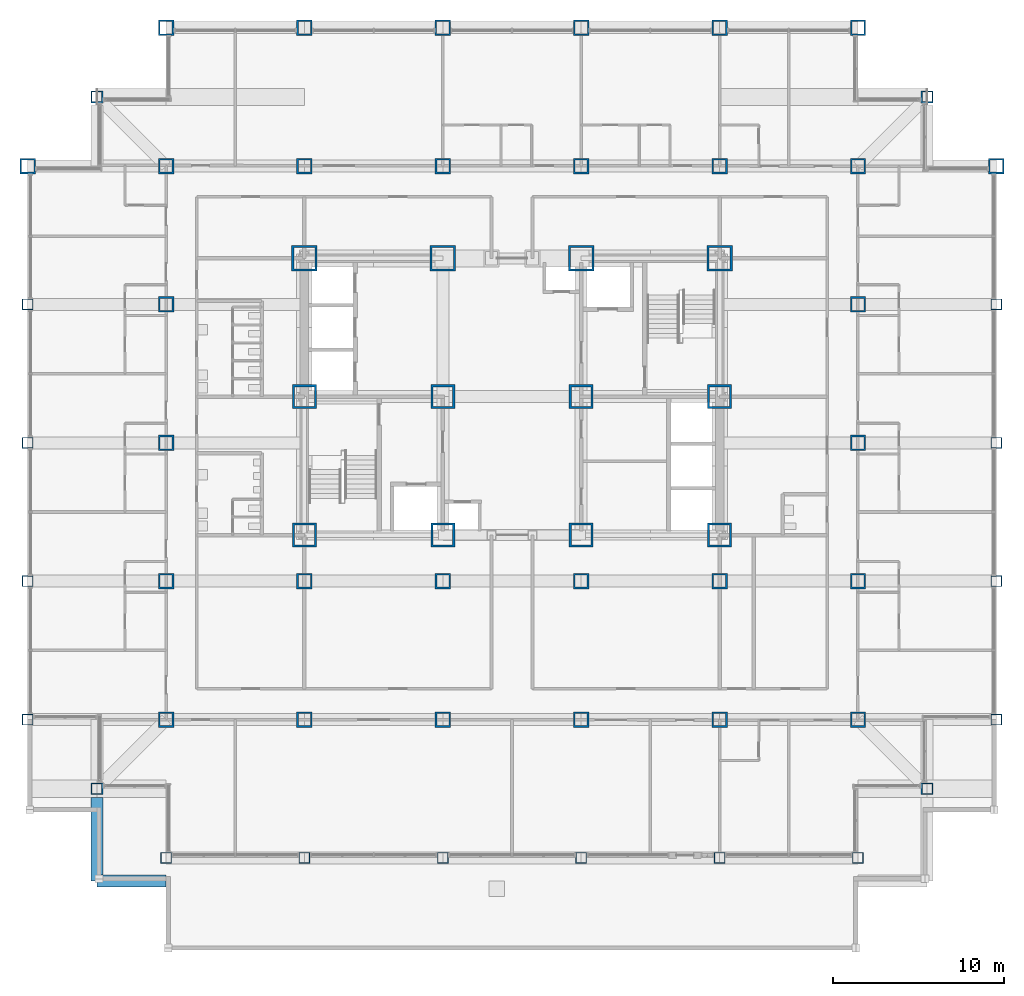
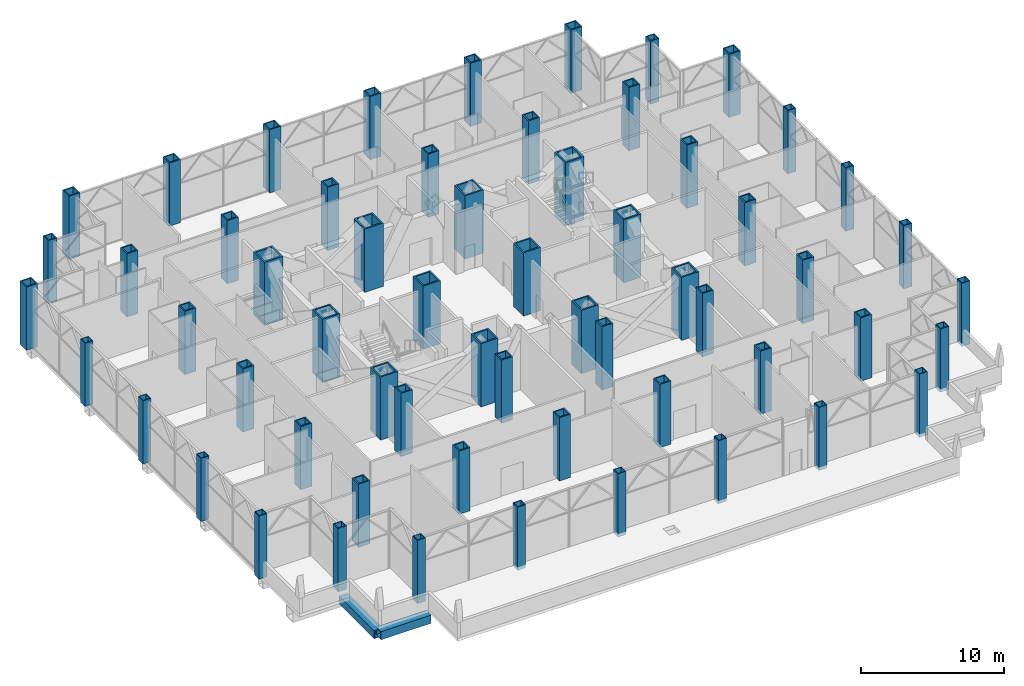
# One storey, part 1 of 26: 60 columns, 2 beams.
"""IFC4 building model written with IfcOpenShell, lengths in metres."""

from ifc_helpers import new_model, si_unit, direction, frame, origin, origin_2d, place, context, subcontext, project, spatial, hollow_rectangle, extrude, material, material_profile, profile_set, type_object, element, save


model = new_model("IFC4")

# Units and contexts
model_context = context("Model", 3, precision=1e-05, world=origin(), true_north=direction((0.0, 1.0)))
body_context = subcontext(model_context, "Body", "Model", "MODEL_VIEW")
ifc_project = project(units=[si_unit("LENGTHUNIT", "METRE"), si_unit("AREAUNIT", "SQUARE_METRE"), si_unit("VOLUMEUNIT", "CUBIC_METRE"), si_unit("PLANEANGLEUNIT", "RADIAN"), si_unit("MASSUNIT", "GRAM", prefix="KILO")], contexts=[model_context])

# Site, building, storey
site_placement = place(None, origin())
site = spatial("IfcSite", under=ifc_project, at=site_placement, CompositionType="ELEMENT")
building_placement = place(site_placement, origin())
building = spatial("IfcBuilding", under=site, at=building_placement, Name="Kopane Lantern Tower", CompositionType="ELEMENT")
storey_placement = place(building_placement, frame((0.0, 0.0, 98.0)))
storey = spatial("IfcBuildingStorey", under=building, at=storey_placement, Name="L24", CompositionType="ELEMENT", Elevation=98.0)

# Columns
ifc_material_1 = material(Name="Steel S355JR", Category="steel")
ifc_material_profile_1 = material_profile(ifc_material_1, hollow_rectangle(XDim=1.39990234375, YDim=1.39990234375, WallThickness=0.1201171875, at=origin_2d()), Name="BOX 1400x1400x120")
ifc_profile_set_1 = profile_set([ifc_material_profile_1], Name="Steel S355JR")
column_type_1 = type_object("IfcColumnType", Name="COLUMN BOX 1400x1400x120", PredefinedType="COLUMN", material=ifc_profile_set_1)
for number, where, z_axis, x_axis, name in (
    (1, (16.199951171875, 24.300048828125, 0.0), (0.0, 0.0, 1.0), (1.0, 0.0, 0.0), "Column 4/E L24"),
    (2, (16.199951171875, 32.39990234375, 0.0), (0.0, 0.0, 1.0), (1.0, 0.0, 0.0), "Column 4/F L24"),
    (3, (24.300048828125, 24.300048828125, 0.0), (0.0, 0.0, 1.0), (1.0, 0.0, 0.0), "Column 5/E L24"),
    (4, (24.300048828125, 32.39990234375, 0.0), (0.0, 0.0, 1.0), (1.0, 0.0, 0.0), "Column 5/F L24"),
    (5, (32.39990234375, 24.300048828125, 0.0), (0.0, 0.0, 1.0), (1.0, 0.0, 0.0), "Column 6/E L24"),
    (6, (32.39990234375, 32.39990234375, 0.0), (0.0, 0.0, 1.0), (1.0, 0.0, 0.0), "Column 6/F L24"),
    (7, (40.5, 24.300048828125, 0.0), (0.0, 0.0, 1.0), (1.0, 0.0, 0.0), "Column 7/E L24"),
    (8, (40.5, 32.39990234375, 0.0), (0.0, 0.0, 1.0), (1.0, 0.0, 0.0), "Column 7/F L24"),
):
    element("IfcColumn", number, at=place(storey_placement, frame(where, z_axis=z_axis, x_axis=x_axis)), inside=storey, type_object=column_type_1, Name=name, PredefinedType="COLUMN", context=body_context, shape_type="SweptSolid", body=[
        extrude(hollow_rectangle(XDim=1.39990234375, YDim=1.39990234375, WallThickness=0.1201171875, at=origin_2d()), origin(), (0.0, 0.0, 1.0), 5.39990234375),
    ])
ifc_material_2 = material(Name="Steel S355JR", Category="steel")
ifc_material_profile_2 = material_profile(ifc_material_2, hollow_rectangle(XDim=1.5, YDim=1.5, WallThickness=0.1298828125, at=origin_2d()), Name="BOX 1500x1500x130")
ifc_profile_set_2 = profile_set([ifc_material_profile_2], Name="Steel S355JR")
column_type_2 = type_object("IfcColumnType", Name="COLUMN BOX 1500x1500x130", PredefinedType="COLUMN", material=ifc_profile_set_2)
for number, where, z_axis, x_axis, name in (
    (9, (16.199951171875, 40.5, 0.0), (0.0, 0.0, 1.0), (1.0, 0.0, 0.0), "Column 4/G L24"),
    (10, (24.300048828125, 40.5, 0.0), (0.0, 0.0, 1.0), (1.0, 0.0, 0.0), "Column 5/G L24"),
    (11, (32.39990234375, 40.5, 0.0), (0.0, 0.0, 1.0), (1.0, 0.0, 0.0), "Column 6/G L24"),
    (12, (40.5, 40.5, 0.0), (0.0, 0.0, 1.0), (1.0, 0.0, 0.0), "Column 7/G L24"),
):
    element("IfcColumn", number, at=place(storey_placement, frame(where, z_axis=z_axis, x_axis=x_axis)), inside=storey, type_object=column_type_2, Name=name, PredefinedType="COLUMN", context=body_context, shape_type="SweptSolid", body=[
        extrude(hollow_rectangle(XDim=1.5, YDim=1.5, WallThickness=0.1298828125, at=origin_2d()), origin(), (0.0, 0.0, 1.0), 5.39990234375),
    ])
ifc_material_3 = material(Name="Steel S355JR", Category="steel")
ifc_material_profile_3 = material_profile(ifc_material_3, hollow_rectangle(XDim=0.64990234375, YDim=0.64990234375, WallThickness=0.050048828125, at=origin_2d()), Name="BOX 650x650x50")
ifc_profile_set_3 = profile_set([ifc_material_profile_3], Name="Steel S355JR")
column_type_3 = type_object("IfcColumnType", Name="COLUMN BOX 650x650x50", PredefinedType="COLUMN", material=ifc_profile_set_3)
for number, where, z_axis, x_axis, name in (
    (13, (0.0, 13.5, 0.0), (0.0, 0.0, 1.0), (1.0, 0.0, 0.0), "Column 2/P2 L24"),
    (14, (0.0, 21.60009765625, 0.0), (0.0, 0.0, 1.0), (1.0, 0.0, 0.0), "Column 2/P3 L24"),
    (15, (0.0, 29.699951171875, 0.0), (0.0, 0.0, 1.0), (1.0, 0.0, 0.0), "Column 2/P4 L24"),
    (16, (0.0, 37.800048828125, 0.0), (0.0, 0.0, 1.0), (1.0, 0.0, 0.0), "Column 2/P5 L24"),
    (17, (8.10009765625, 5.39990234375, 0.0), (0.0, 0.0, 1.0), (1.0, 0.0, 0.0), "Column 3/P1 L24"),
    (18, (16.199951171875, 5.39990234375, 0.0), (0.0, 0.0, 1.0), (1.0, 0.0, 0.0), "Column 4/P1 L24"),
    (19, (24.300048828125, 5.39990234375, 0.0), (0.0, 0.0, 1.0), (1.0, 0.0, 0.0), "Column 5/P1 L24"),
    (20, (32.39990234375, 5.39990234375, 0.0), (0.0, 0.0, 1.0), (1.0, 0.0, 0.0), "Column 6/P1 L24"),
    (21, (40.5, 5.39990234375, 0.0), (0.0, 0.0, 1.0), (1.0, 0.0, 0.0), "Column 7/P1 L24"),
    (22, (48.60009765625, 5.39990234375, 0.0), (0.0, 0.0, 1.0), (1.0, 0.0, 0.0), "Column 8/P1 L24"),
    (23, (56.699951171875, 13.5, 0.0), (0.0, 0.0, 1.0), (1.0, 0.0, 0.0), "Column 9/P2 L24"),
    (24, (56.699951171875, 21.60009765625, 0.0), (0.0, 0.0, 1.0), (1.0, 0.0, 0.0), "Column 9/P3 L24"),
    (25, (56.699951171875, 29.699951171875, 0.0), (0.0, 0.0, 1.0), (1.0, 0.0, 0.0), "Column 9/P4 L24"),
    (26, (56.699951171875, 37.800048828125, 0.0), (0.0, 0.0, 1.0), (1.0, 0.0, 0.0), "Column 9/P5 L24"),
):
    element("IfcColumn", number, at=place(storey_placement, frame(where, z_axis=z_axis, x_axis=x_axis)), inside=storey, type_object=column_type_3, Name=name, PredefinedType="COLUMN", context=body_context, shape_type="SweptSolid", body=[
        extrude(hollow_rectangle(XDim=0.64990234375, YDim=0.64990234375, WallThickness=0.050048828125, at=origin_2d()), origin(), (0.0, 0.0, 1.0), 5.39990234375),
    ])
ifc_material_4 = material(Name="Steel S355JR", Category="steel")
ifc_material_profile_4 = material_profile(ifc_material_4, hollow_rectangle(XDim=0.699951171875, YDim=0.699951171875, WallThickness=0.070068359375, at=origin_2d()), Name="BOX 700x700x70")
ifc_profile_set_4 = profile_set([ifc_material_profile_4], Name="Steel S355JR")
column_type_4 = type_object("IfcColumnType", Name="COLUMN BOX 700x700x70", PredefinedType="COLUMN", material=ifc_profile_set_4)
for number, where, z_axis, x_axis, name in (
    (27, (4.050048828125, 9.449951171875, 0.0), (0.0, 0.0, 1.0), (1.0, 0.0, 0.0), "Column 4.05/9.45 L24"),
    (28, (4.050048828125, 49.949951171875, 0.0), (0.0, 0.0, 1.0), (1.0, 0.0, 0.0), "Column 4.05/49.95 L24"),
    (29, (52.64990234375, 9.449951171875, 0.0), (0.0, 0.0, 1.0), (1.0, 0.0, 0.0), "Column 52.65/9.45 L24"),
    (30, (52.64990234375, 49.949951171875, 0.0), (0.0, 0.0, 1.0), (1.0, 0.0, 0.0), "Column 52.65/49.95 L24"),
):
    element("IfcColumn", number, at=place(storey_placement, frame(where, z_axis=z_axis, x_axis=x_axis)), inside=storey, type_object=column_type_4, Name=name, PredefinedType="COLUMN", context=body_context, shape_type="SweptSolid", body=[
        extrude(hollow_rectangle(XDim=0.699951171875, YDim=0.699951171875, WallThickness=0.070068359375, at=origin_2d()), origin(), (0.0, 0.0, 1.0), 5.39990234375),
    ])
ifc_material_5 = material(Name="Steel S355JR", Category="steel")
ifc_material_profile_5 = material_profile(ifc_material_5, hollow_rectangle(XDim=0.89990234375, YDim=0.89990234375, WallThickness=0.10009765625, at=origin_2d()), Name="BOX 900x900x100")
ifc_profile_set_5 = profile_set([ifc_material_profile_5], Name="Steel S355JR")
column_type_5 = type_object("IfcColumnType", Name="COLUMN BOX 900x900x100", PredefinedType="COLUMN", material=ifc_profile_set_5)
for number, where, z_axis, x_axis, name in (
    (31, (8.10009765625, 13.5, 0.0), (0.0, 0.0, 1.0), (1.0, 0.0, 0.0), "Column 3/P2 L24"),
    (32, (8.10009765625, 21.60009765625, 0.0), (0.0, 0.0, 1.0), (1.0, 0.0, 0.0), "Column 3/P3 L24"),
    (33, (8.10009765625, 29.699951171875, 0.0), (0.0, 0.0, 1.0), (1.0, 0.0, 0.0), "Column 3/P4 L24"),
    (34, (8.10009765625, 37.800048828125, 0.0), (0.0, 0.0, 1.0), (1.0, 0.0, 0.0), "Column 3/P5 L24"),
    (35, (8.10009765625, 45.89990234375, 0.0), (0.0, 0.0, 1.0), (1.0, 0.0, 0.0), "Column 3/P6 L24"),
    (36, (16.199951171875, 13.5, 0.0), (0.0, 0.0, 1.0), (1.0, 0.0, 0.0), "Column 4/P2 L24"),
    (37, (16.199951171875, 21.60009765625, 0.0), (0.0, 0.0, 1.0), (1.0, 0.0, 0.0), "Column 4/P3 L24"),
    (38, (16.199951171875, 45.89990234375, 0.0), (0.0, 0.0, 1.0), (1.0, 0.0, 0.0), "Column 4/P6 L24"),
    (39, (24.300048828125, 13.5, 0.0), (0.0, 0.0, 1.0), (1.0, 0.0, 0.0), "Column 5/P2 L24"),
    (40, (24.300048828125, 21.60009765625, 0.0), (0.0, 0.0, 1.0), (1.0, 0.0, 0.0), "Column 5/P3 L24"),
    (41, (24.300048828125, 45.89990234375, 0.0), (0.0, 0.0, 1.0), (1.0, 0.0, 0.0), "Column 5/P6 L24"),
    (42, (32.39990234375, 13.5, 0.0), (0.0, 0.0, 1.0), (1.0, 0.0, 0.0), "Column 6/P2 L24"),
    (43, (32.39990234375, 21.60009765625, 0.0), (0.0, 0.0, 1.0), (1.0, 0.0, 0.0), "Column 6/P3 L24"),
    (44, (32.39990234375, 45.89990234375, 0.0), (0.0, 0.0, 1.0), (1.0, 0.0, 0.0), "Column 6/P6 L24"),
    (45, (40.5, 13.5, 0.0), (0.0, 0.0, 1.0), (1.0, 0.0, 0.0), "Column 7/P2 L24"),
    (46, (40.5, 21.60009765625, 0.0), (0.0, 0.0, 1.0), (1.0, 0.0, 0.0), "Column 7/P3 L24"),
    (47, (40.5, 45.89990234375, 0.0), (0.0, 0.0, 1.0), (1.0, 0.0, 0.0), "Column 7/P6 L24"),
    (48, (48.60009765625, 13.5, 0.0), (0.0, 0.0, 1.0), (1.0, 0.0, 0.0), "Column 8/P2 L24"),
    (49, (48.60009765625, 21.60009765625, 0.0), (0.0, 0.0, 1.0), (1.0, 0.0, 0.0), "Column 8/P3 L24"),
    (50, (48.60009765625, 29.699951171875, 0.0), (0.0, 0.0, 1.0), (1.0, 0.0, 0.0), "Column 8/P4 L24"),
    (51, (48.60009765625, 37.800048828125, 0.0), (0.0, 0.0, 1.0), (1.0, 0.0, 0.0), "Column 8/P5 L24"),
    (52, (48.60009765625, 45.89990234375, 0.0), (0.0, 0.0, 1.0), (1.0, 0.0, 0.0), "Column 8/P6 L24"),
):
    element("IfcColumn", number, at=place(storey_placement, frame(where, z_axis=z_axis, x_axis=x_axis)), inside=storey, type_object=column_type_5, Name=name, PredefinedType="COLUMN", context=body_context, shape_type="SweptSolid", body=[
        extrude(hollow_rectangle(XDim=0.89990234375, YDim=0.89990234375, WallThickness=0.10009765625, at=origin_2d()), origin(), (0.0, 0.0, 1.0), 5.39990234375),
    ])
ifc_material_6 = material(Name="Steel S355JR", Category="steel")
ifc_material_profile_6 = material_profile(ifc_material_6, hollow_rectangle(XDim=0.89990234375, YDim=0.89990234375, WallThickness=0.090087890625, at=origin_2d()), Name="BOX 900x900x90")
ifc_profile_set_6 = profile_set([ifc_material_profile_6], Name="Steel S355JR")
column_type_6 = type_object("IfcColumnType", Name="COLUMN BOX 900x900x90", PredefinedType="COLUMN", material=ifc_profile_set_6)
for number, where, z_axis, x_axis, name in (
    (53, (0.0, 45.89990234375, 0.0), (0.0, 0.0, 1.0), (1.0, 0.0, 0.0), "Column 2/P6 L24"),
    (54, (8.10009765625, 54.0, 0.0), (0.0, 0.0, 1.0), (1.0, 0.0, 0.0), "Column 3/P7 L24"),
    (55, (16.199951171875, 54.0, 0.0), (0.0, 0.0, 1.0), (1.0, 0.0, 0.0), "Column 4/P7 L24"),
    (56, (24.300048828125, 54.0, 0.0), (0.0, 0.0, 1.0), (1.0, 0.0, 0.0), "Column 5/P7 L24"),
    (57, (32.39990234375, 54.0, 0.0), (0.0, 0.0, 1.0), (1.0, 0.0, 0.0), "Column 6/P7 L24"),
    (58, (40.5, 54.0, 0.0), (0.0, 0.0, 1.0), (1.0, 0.0, 0.0), "Column 7/P7 L24"),
    (59, (48.60009765625, 54.0, 0.0), (0.0, 0.0, 1.0), (1.0, 0.0, 0.0), "Column 8/P7 L24"),
    (60, (56.699951171875, 45.89990234375, 0.0), (0.0, 0.0, 1.0), (1.0, 0.0, 0.0), "Column 9/P6 L24"),
):
    element("IfcColumn", number, at=place(storey_placement, frame(where, z_axis=z_axis, x_axis=x_axis)), inside=storey, type_object=column_type_6, Name=name, PredefinedType="COLUMN", context=body_context, shape_type="SweptSolid", body=[
        extrude(hollow_rectangle(XDim=0.89990234375, YDim=0.89990234375, WallThickness=0.090087890625, at=origin_2d()), origin(), (0.0, 0.0, 1.0), 5.39990234375),
    ])

# Beams
ifc_material_7 = material(Name="Steel S355JR", Category="steel")
ifc_material_profile_7 = material_profile(ifc_material_7, hollow_rectangle(XDim=0.699951171875, YDim=0.699951171875, WallThickness=0.06005859375, at=origin_2d()), Name="BOX 700x700x60")
ifc_profile_set_7 = profile_set([ifc_material_profile_7], Name="Steel S355JR")
beam_type_1 = type_object("IfcBeamType", Name="EDGE BEAM BOX 700x700x60", PredefinedType="BEAM", material=ifc_profile_set_7)
beam_1_placement = place(storey_placement, frame((4.050048828125, 4.050048828125, -0.60009765625), z_axis=(1.0, 0.0, 0.0), x_axis=(0.0, 1.0, 0.0)))
element("IfcBeam", 61, at=beam_1_placement, inside=storey, type_object=beam_type_1, Name="Edge Beam L24", PredefinedType="BEAM", context=body_context, shape_type="SweptSolid", body=[
    extrude(hollow_rectangle(XDim=0.699951171875, YDim=0.699951171875, WallThickness=0.06005859375, at=origin_2d()), origin(), (0.0, 0.0, 1.0), 4.050048828125),
])
ifc_material_8 = material(Name="Steel S355JR", Category="steel")
ifc_material_profile_8 = material_profile(ifc_material_8, hollow_rectangle(XDim=0.699951171875, YDim=0.699951171875, WallThickness=0.06005859375, at=origin_2d()), Name="BOX 700x700x60")
ifc_profile_set_8 = profile_set([ifc_material_profile_8], Name="Steel S355JR")
beam_type_2 = type_object("IfcBeamType", Name="GIRDER BOX 700x700x60", PredefinedType="BEAM", material=ifc_profile_set_8)
beam_2_placement = place(storey_placement, frame((4.050048828125, 4.050048828125, -0.60009765625), z_axis=(0.0, 1.0, 0.0), x_axis=(-1.0, 0.0, 0.0)))
element("IfcBeam", 62, at=beam_2_placement, inside=storey, type_object=beam_type_2, Name="Girder L24", PredefinedType="BEAM", context=body_context, shape_type="SweptSolid", body=[
    extrude(hollow_rectangle(XDim=0.699951171875, YDim=0.699951171875, WallThickness=0.06005859375, at=origin_2d()), origin(), (0.0, 0.0, 1.0), 4.89990234375),
])

save(model, "model.ifc")
